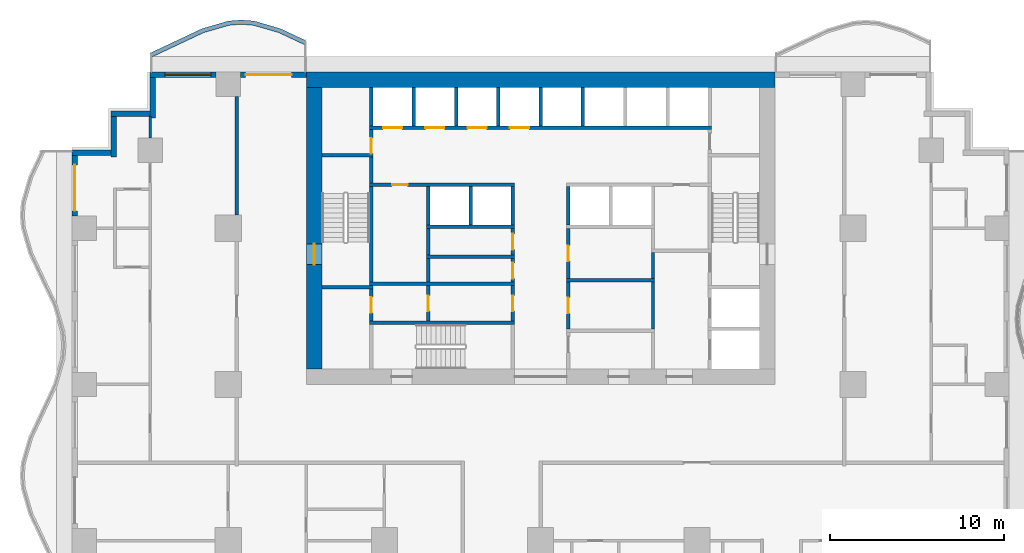
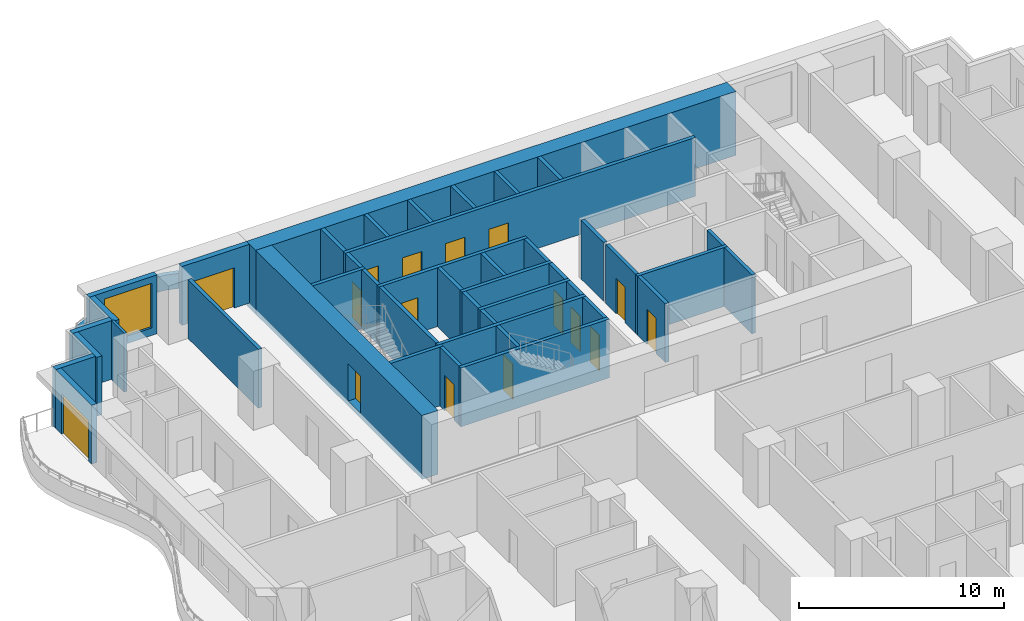
# One storey, part 5 of 14: 45 walls, 16 doors, 1 window, 17 openings.
"""IFC4 building model written with IfcOpenShell, lengths in metres."""

from ifc_helpers import new_model, si_unit, direction, frame, frame_2d, origin, place, context, subcontext, project, spatial, polyline, rectangle, outline, extrude, material, layer, layer_set, type_object, element, fill, save


model = new_model("IFC4")

# Units and contexts
model_context = context("Model", 3, precision=1e-05, world=origin(), true_north=direction((0.0, 1.0)))
body_context = subcontext(model_context, "Body", "Model", "MODEL_VIEW")
ifc_project = project(units=[si_unit("LENGTHUNIT", "METRE"), si_unit("AREAUNIT", "SQUARE_METRE"), si_unit("VOLUMEUNIT", "CUBIC_METRE"), si_unit("PLANEANGLEUNIT", "RADIAN"), si_unit("MASSUNIT", "GRAM", prefix="KILO")], contexts=[model_context])

# Site, building, storey
site_placement = place(None, origin())
site = spatial("IfcSite", under=ifc_project, at=site_placement, CompositionType="ELEMENT")
building_placement = place(site_placement, origin())
building = spatial("IfcBuilding", under=site, at=building_placement, Name="Orbiselva Terraces", CompositionType="ELEMENT")
storey_placement = place(building_placement, frame((0.0, 0.0, 45.4)))
storey = spatial("IfcBuildingStorey", under=building, at=storey_placement, Name="L11", CompositionType="ELEMENT", Elevation=45.4)

# Wall, opening, door
ifc_material_1 = material(Name="Concrete C80/95", Category="concrete")
ifc_layer_1 = layer(ifc_material_1, 0.9)
ifc_layer_set_1 = layer_set([ifc_layer_1], Name="Concrete C80/95")
wall_type_1 = type_object("IfcWallType", Name="CORE WALL 900", PredefinedType="SHEAR", material=ifc_layer_set_1)
wall_1_placement = place(storey_placement, frame((-13.05, 21.6, -0.3), z_axis=(0.0, 0.0, 1.0), x_axis=(0.0, -1.0, 0.0)))
wall_1 = element("IfcWall", 1, at=wall_1_placement, inside=storey, type_object=wall_type_1, Name="Core wall L11 west", PredefinedType="SHEAR", context=body_context, shape_type="SweptSolid", body=[
    extrude(rectangle(XDim=16.2, YDim=0.9, at=frame_2d((8.1, 0.0))), origin(), (0.0, 0.0, 1.0), 3.8),
])
opening_1_placement = place(wall_1_placement, frame((9.0, 0.0, 0.3)))
opening_1 = element("IfcOpeningElement", 2, at=opening_1_placement, cuts=wall_1, Name="Opening DS1200", PredefinedType="OPENING", context=body_context, shape_type="SweptSolid", body=[
    extrude(rectangle(XDim=1.2, YDim=2.2, at=frame_2d((0.6, 1.1))), frame((0.0, 0.46, 0.0), z_axis=(0.0, -1.0, 0.0), x_axis=(1.0, 0.0, 0.0)), (0.0, 0.0, 1.0), 0.92),
])
ifc_material_2 = material(Name="Steel fire door", Category="steel")
door_type_1 = type_object("IfcDoorType", Name="STAIR DOOR 1200", OperationType="NOTDEFINED", PredefinedType="DOOR", material=ifc_material_2)
door_1_placement = place(opening_1_placement, frame((1.2, 0.0, 0.0), z_axis=(0.0, 0.0, 1.0), x_axis=(-1.0, 0.0, 0.0)))
door_1 = element("IfcDoor", 3, at=door_1_placement, inside=storey, type_object=door_type_1, Name="L11 EXIT STAIR S1 door", OperationType="SINGLE_SWING_RIGHT", OverallHeight=2.2, OverallWidth=1.2, PredefinedType="DOOR", context=body_context, shape_type="SweptSolid", body=[
    extrude(rectangle(XDim=1.2, YDim=2.2, at=frame_2d((0.6, 1.1))), frame((0.0, 0.025, 0.0), z_axis=(0.0, -1.0, 0.0), x_axis=(1.0, 0.0, 0.0)), (0.0, 0.0, 1.0), 0.05),
])
fill(opening_1, door_1)

# Wall
ifc_layer_2 = layer(ifc_material_1, 0.9)
ifc_layer_set_2 = layer_set([ifc_layer_2], Name="Concrete C80/95")
wall_type_2 = type_object("IfcWallType", Name="CORE WALL 900 EXTERNAL", PredefinedType="SHEAR", material=ifc_layer_set_2)
wall_2_placement = place(storey_placement, frame((13.5, 22.05, -0.3), z_axis=(0.0, 0.0, 1.0), x_axis=(-1.0, 0.0, 0.0)))
element("IfcWall", 4, at=wall_2_placement, inside=storey, type_object=wall_type_2, Name="Core wall L11 north", PredefinedType="SHEAR", context=body_context, shape_type="SweptSolid", body=[
    extrude(rectangle(XDim=27.0, YDim=0.9, at=frame_2d((13.5, 0.0))), origin(), (0.0, 0.0, 1.0), 3.8),
])

# Wall, opening, door
ifc_material_3 = material(Name="Masonry blockwork", Category="masonry")
ifc_layer_3 = layer(ifc_material_3, 0.2)
ifc_layer_set_3 = layer_set([ifc_layer_3], Name="Masonry blockwork")
wall_type_3 = type_object("IfcWallType", Name="CORE-WALL-PARTITION-200", PredefinedType="PARTITIONING", material=ifc_layer_set_3)
wall_3_placement = place(storey_placement, frame((-9.75, 8.15, 0.0), z_axis=(0.0, 0.0, 1.0), x_axis=(0.0, 1.0, 0.0)))
wall_3 = element("IfcWall", 5, at=wall_3_placement, inside=storey, type_object=wall_type_3, Name="L11 core wall 05", PredefinedType="PARTITIONING", context=body_context, shape_type="SweptSolid", body=[
    extrude(rectangle(XDim=1.85, YDim=0.2, at=frame_2d((0.925, 0.0))), origin(), (0.0, 0.0, 1.0), 3.5),
])
opening_2_placement = place(wall_3_placement, frame((0.475, 0.0, 0.0)))
opening_2 = element("IfcOpeningElement", 6, at=opening_2_placement, cuts=wall_3, Name="Opening DR900", PredefinedType="OPENING", context=body_context, shape_type="SweptSolid", body=[
    extrude(rectangle(XDim=0.9, YDim=2.1, at=frame_2d((0.45, 1.05))), frame((0.0, 0.11, 0.0), z_axis=(0.0, -1.0, 0.0), x_axis=(1.0, 0.0, 0.0)), (0.0, 0.0, 1.0), 0.22),
])
door_type_2 = type_object("IfcDoorType", Name="ROOM DOOR 900", OperationType="NOTDEFINED", PredefinedType="DOOR", material=ifc_material_2)
door_2_placement = place(opening_2_placement, origin())
door_2 = element("IfcDoor", 7, at=door_2_placement, inside=storey, type_object=door_type_2, Name="L11 ACCESSIBLE WC door", OperationType="SINGLE_SWING_RIGHT", OverallHeight=2.1, OverallWidth=0.9, PredefinedType="DOOR", context=body_context, shape_type="SweptSolid", body=[
    extrude(rectangle(XDim=0.9, YDim=2.1, at=frame_2d((0.45, 1.05))), frame((0.0, 0.025, 0.0), z_axis=(0.0, -1.0, 0.0), x_axis=(1.0, 0.0, 0.0)), (0.0, 0.0, 1.0), 0.05),
])
fill(opening_2, door_2)

wall_4_placement = place(storey_placement, frame((-9.75, 17.8, 0.0), z_axis=(0.0, 0.0, 1.0), x_axis=(0.0, 1.0, 0.0)))
wall_4 = element("IfcWall", 8, at=wall_4_placement, inside=storey, type_object=wall_type_3, Name="L11 core wall 10", PredefinedType="PARTITIONING", context=body_context, shape_type="SweptSolid", body=[
    extrude(rectangle(XDim=1.4, YDim=0.2, at=frame_2d((0.7, 0.0))), origin(), (0.0, 0.0, 1.0), 3.5),
])
opening_3_placement = place(wall_4_placement, origin())
opening_3 = element("IfcOpeningElement", 9, at=opening_3_placement, cuts=wall_4, Name="Opening DR900", PredefinedType="OPENING", context=body_context, shape_type="SweptSolid", body=[
    extrude(rectangle(XDim=0.9, YDim=2.1, at=frame_2d((0.45, 1.05))), frame((0.0, 0.11, 0.0), z_axis=(0.0, -1.0, 0.0), x_axis=(1.0, 0.0, 0.0)), (0.0, 0.0, 1.0), 0.22),
])
door_3_placement = place(opening_3_placement, origin())
door_3 = element("IfcDoor", 10, at=door_3_placement, inside=storey, type_object=door_type_2, Name="L11 COMMS RISER ROOM door", OperationType="SINGLE_SWING_LEFT", OverallHeight=2.1, OverallWidth=0.9, PredefinedType="DOOR", context=body_context, shape_type="SweptSolid", body=[
    extrude(rectangle(XDim=0.9, YDim=2.1, at=frame_2d((0.45, 1.05))), frame((0.0, 0.025, 0.0), z_axis=(0.0, -1.0, 0.0), x_axis=(1.0, 0.0, 0.0)), (0.0, 0.0, 1.0), 0.05),
])
fill(opening_3, door_3)

wall_5_placement = place(storey_placement, frame((-6.475, 8.15, 0.0), z_axis=(0.0, 0.0, 1.0), x_axis=(0.0, 1.0, 0.0)))
wall_5 = element("IfcWall", 11, at=wall_5_placement, inside=storey, type_object=wall_type_3, Name="L11 core wall 14", PredefinedType="PARTITIONING", context=body_context, shape_type="SweptSolid", body=[
    extrude(rectangle(XDim=2.05, YDim=0.2, at=frame_2d((1.025, 0.0))), origin(), (0.0, 0.0, 1.0), 3.5),
])
opening_4_placement = place(wall_5_placement, frame((0.575, 0.0, 0.0)))
opening_4 = element("IfcOpeningElement", 12, at=opening_4_placement, cuts=wall_5, Name="Opening DR900", PredefinedType="OPENING", context=body_context, shape_type="SweptSolid", body=[
    extrude(rectangle(XDim=0.9, YDim=2.1, at=frame_2d((0.45, 1.05))), frame((0.0, 0.11, 0.0), z_axis=(0.0, -1.0, 0.0), x_axis=(1.0, 0.0, 0.0)), (0.0, 0.0, 1.0), 0.22),
])
door_4_placement = place(opening_4_placement, origin())
door_4 = element("IfcDoor", 13, at=door_4_placement, inside=storey, type_object=door_type_2, Name="L11 CLEANERS STORE door", OperationType="SINGLE_SWING_RIGHT", OverallHeight=2.1, OverallWidth=0.9, PredefinedType="DOOR", context=body_context, shape_type="SweptSolid", body=[
    extrude(rectangle(XDim=0.9, YDim=2.1, at=frame_2d((0.45, 1.05))), frame((0.0, 0.025, 0.0), z_axis=(0.0, -1.0, 0.0), x_axis=(1.0, 0.0, 0.0)), (0.0, 0.0, 1.0), 0.05),
])
fill(opening_4, door_4)

# Walls
wall_6_placement = place(storey_placement, frame((-6.475, 10.4, 0.0), z_axis=(0.0, 0.0, 1.0), x_axis=(0.0, 1.0, 0.0)))
element("IfcWall", 14, at=wall_6_placement, inside=storey, type_object=wall_type_3, Name="L11 core wall 15", PredefinedType="PARTITIONING", context=body_context, shape_type="SweptSolid", body=[
    extrude(rectangle(XDim=1.35, YDim=0.2, at=frame_2d((0.675, 0.0))), origin(), (0.0, 0.0, 1.0), 3.5),
])
wall_7_placement = place(storey_placement, frame((-6.475, 11.95, 0.0), z_axis=(0.0, 0.0, 1.0), x_axis=(0.0, 1.0, 0.0)))
element("IfcWall", 15, at=wall_7_placement, inside=storey, type_object=wall_type_3, Name="L11 core wall 17", PredefinedType="PARTITIONING", context=body_context, shape_type="SweptSolid", body=[
    extrude(rectangle(XDim=1.55, YDim=0.2, at=frame_2d((0.775, 0.0))), origin(), (0.0, 0.0, 1.0), 3.5),
])

# Wall, opening, door
wall_8_placement = place(storey_placement, frame((-1.6, 8.15, 0.0), z_axis=(0.0, 0.0, 1.0), x_axis=(0.0, 1.0, 0.0)))
wall_8 = element("IfcWall", 16, at=wall_8_placement, inside=storey, type_object=wall_type_3, Name="L11 core wall 24", PredefinedType="PARTITIONING", context=body_context, shape_type="SweptSolid", body=[
    extrude(rectangle(XDim=2.05, YDim=0.2, at=frame_2d((1.025, 0.0))), origin(), (0.0, 0.0, 1.0), 3.5),
])
opening_5_placement = place(wall_8_placement, frame((0.575, 0.0, 0.0)))
opening_5 = element("IfcOpeningElement", 17, at=opening_5_placement, cuts=wall_8, Name="Opening DR900", PredefinedType="OPENING", context=body_context, shape_type="SweptSolid", body=[
    extrude(rectangle(XDim=0.9, YDim=2.1, at=frame_2d((0.45, 1.05))), frame((0.0, 0.11, 0.0), z_axis=(0.0, -1.0, 0.0), x_axis=(1.0, 0.0, 0.0)), (0.0, 0.0, 1.0), 0.22),
])
door_5_placement = place(opening_5_placement, origin())
door_5 = element("IfcDoor", 18, at=door_5_placement, inside=storey, type_object=door_type_2, Name="L11 COMMS ROOM door", OperationType="SINGLE_SWING_RIGHT", OverallHeight=2.1, OverallWidth=0.9, PredefinedType="DOOR", context=body_context, shape_type="SweptSolid", body=[
    extrude(rectangle(XDim=0.9, YDim=2.1, at=frame_2d((0.45, 1.05))), frame((0.0, 0.025, 0.0), z_axis=(0.0, -1.0, 0.0), x_axis=(1.0, 0.0, 0.0)), (0.0, 0.0, 1.0), 0.05),
])
fill(opening_5, door_5)

wall_9_placement = place(storey_placement, frame((-1.6, 10.4, 0.0), z_axis=(0.0, 0.0, 1.0), x_axis=(0.0, 1.0, 0.0)))
wall_9 = element("IfcWall", 19, at=wall_9_placement, inside=storey, type_object=wall_type_3, Name="L11 core wall 25", PredefinedType="PARTITIONING", context=body_context, shape_type="SweptSolid", body=[
    extrude(rectangle(XDim=1.35, YDim=0.2, at=frame_2d((0.675, 0.0))), origin(), (0.0, 0.0, 1.0), 3.5),
])
opening_6_placement = place(wall_9_placement, frame((0.2, 0.0, 0.0)))
opening_6 = element("IfcOpeningElement", 20, at=opening_6_placement, cuts=wall_9, Name="Opening DR900", PredefinedType="OPENING", context=body_context, shape_type="SweptSolid", body=[
    extrude(rectangle(XDim=0.9, YDim=2.1, at=frame_2d((0.45, 1.05))), frame((0.0, 0.11, 0.0), z_axis=(0.0, -1.0, 0.0), x_axis=(1.0, 0.0, 0.0)), (0.0, 0.0, 1.0), 0.22),
])
door_6_placement = place(opening_6_placement, origin())
door_6 = element("IfcDoor", 21, at=door_6_placement, inside=storey, type_object=door_type_2, Name="L11 BUILDING STORE door", OperationType="SINGLE_SWING_LEFT", OverallHeight=2.1, OverallWidth=0.9, PredefinedType="DOOR", context=body_context, shape_type="SweptSolid", body=[
    extrude(rectangle(XDim=0.9, YDim=2.1, at=frame_2d((0.45, 1.05))), frame((0.0, 0.025, 0.0), z_axis=(0.0, -1.0, 0.0), x_axis=(1.0, 0.0, 0.0)), (0.0, 0.0, 1.0), 0.05),
])
fill(opening_6, door_6)

wall_10_placement = place(storey_placement, frame((-1.6, 11.95, 0.0), z_axis=(0.0, 0.0, 1.0), x_axis=(0.0, 1.0, 0.0)))
wall_10 = element("IfcWall", 22, at=wall_10_placement, inside=storey, type_object=wall_type_3, Name="L11 core wall 26", PredefinedType="PARTITIONING", context=body_context, shape_type="SweptSolid", body=[
    extrude(rectangle(XDim=1.55, YDim=0.2, at=frame_2d((0.775, 0.0))), origin(), (0.0, 0.0, 1.0), 3.5),
])
opening_7_placement = place(wall_10_placement, frame((0.325, 0.0, 0.0)))
opening_7 = element("IfcOpeningElement", 23, at=opening_7_placement, cuts=wall_10, Name="Opening DR900", PredefinedType="OPENING", context=body_context, shape_type="SweptSolid", body=[
    extrude(rectangle(XDim=0.9, YDim=2.1, at=frame_2d((0.45, 1.05))), frame((0.0, 0.11, 0.0), z_axis=(0.0, -1.0, 0.0), x_axis=(1.0, 0.0, 0.0)), (0.0, 0.0, 1.0), 0.22),
])
door_7_placement = place(opening_7_placement, origin())
door_7 = element("IfcDoor", 24, at=door_7_placement, inside=storey, type_object=door_type_2, Name="L11 LINEN STORE door", OperationType="SINGLE_SWING_LEFT", OverallHeight=2.1, OverallWidth=0.9, PredefinedType="DOOR", context=body_context, shape_type="SweptSolid", body=[
    extrude(rectangle(XDim=0.9, YDim=2.1, at=frame_2d((0.45, 1.05))), frame((0.0, 0.025, 0.0), z_axis=(0.0, -1.0, 0.0), x_axis=(1.0, 0.0, 0.0)), (0.0, 0.0, 1.0), 0.05),
])
fill(opening_7, door_7)

wall_11_placement = place(storey_placement, frame((1.6, 10.4, 0.0), z_axis=(0.0, 0.0, 1.0), x_axis=(0.0, -1.0, 0.0)))
wall_11 = element("IfcWall", 25, at=wall_11_placement, inside=storey, type_object=wall_type_3, Name="L11 core wall 31", PredefinedType="PARTITIONING", context=body_context, shape_type="SweptSolid", body=[
    extrude(rectangle(XDim=2.7, YDim=0.2, at=frame_2d((1.35, 0.0))), origin(), (0.0, 0.0, 1.0), 3.5),
])
opening_8_placement = place(wall_11_placement, frame((0.9, 0.0, 0.0)))
opening_8 = element("IfcOpeningElement", 26, at=opening_8_placement, cuts=wall_11, Name="Opening DR900", PredefinedType="OPENING", context=body_context, shape_type="SweptSolid", body=[
    extrude(rectangle(XDim=0.9, YDim=2.1, at=frame_2d((0.45, 1.05))), frame((0.0, 0.11, 0.0), z_axis=(0.0, -1.0, 0.0), x_axis=(1.0, 0.0, 0.0)), (0.0, 0.0, 1.0), 0.22),
])
door_8_placement = place(opening_8_placement, origin())
door_8 = element("IfcDoor", 27, at=door_8_placement, inside=storey, type_object=door_type_2, Name="L11 SERVICE PANTRY door", OperationType="SINGLE_SWING_LEFT", OverallHeight=2.1, OverallWidth=0.9, PredefinedType="DOOR", context=body_context, shape_type="SweptSolid", body=[
    extrude(rectangle(XDim=0.9, YDim=2.1, at=frame_2d((0.45, 1.05))), frame((0.0, 0.025, 0.0), z_axis=(0.0, -1.0, 0.0), x_axis=(1.0, 0.0, 0.0)), (0.0, 0.0, 1.0), 0.05),
])
fill(opening_8, door_8)

wall_12_placement = place(storey_placement, frame((1.6, 13.5, 0.0), z_axis=(0.0, 0.0, 1.0), x_axis=(0.0, -1.0, 0.0)))
wall_12 = element("IfcWall", 28, at=wall_12_placement, inside=storey, type_object=wall_type_3, Name="L11 core wall 33", PredefinedType="PARTITIONING", context=body_context, shape_type="SweptSolid", body=[
    extrude(rectangle(XDim=2.9, YDim=0.2, at=frame_2d((1.45, 0.0))), origin(), (0.0, 0.0, 1.0), 3.5),
])
opening_9_placement = place(wall_12_placement, frame((1.0, 0.0, 0.0)))
opening_9 = element("IfcOpeningElement", 29, at=opening_9_placement, cuts=wall_12, Name="Opening DR900", PredefinedType="OPENING", context=body_context, shape_type="SweptSolid", body=[
    extrude(rectangle(XDim=0.9, YDim=2.1, at=frame_2d((0.45, 1.05))), frame((0.0, 0.11, 0.0), z_axis=(0.0, -1.0, 0.0), x_axis=(1.0, 0.0, 0.0)), (0.0, 0.0, 1.0), 0.22),
])
door_9_placement = place(opening_9_placement, origin())
door_9 = element("IfcDoor", 30, at=door_9_placement, inside=storey, type_object=door_type_2, Name="L11 STAFF WC door", OperationType="SINGLE_SWING_LEFT", OverallHeight=2.1, OverallWidth=0.9, PredefinedType="DOOR", context=body_context, shape_type="SweptSolid", body=[
    extrude(rectangle(XDim=0.9, YDim=2.1, at=frame_2d((0.45, 1.05))), frame((0.0, 0.025, 0.0), z_axis=(0.0, -1.0, 0.0), x_axis=(1.0, 0.0, 0.0)), (0.0, 0.0, 1.0), 0.05),
])
fill(opening_9, door_9)

# Walls
ifc_material_4 = material(Name="Concrete C40/50", Category="concrete")
ifc_layer_4 = layer(ifc_material_4, 0.2)
ifc_layer_set_4 = layer_set([ifc_layer_4], Name="Concrete C40/50")
wall_type_4 = type_object("IfcWallType", Name="CORE-WALL-SHAFT-200", PredefinedType="PARTITIONING", material=ifc_layer_set_4)
for number, where, z_axis, x_axis, name in (
    (31, (-9.75, 19.4, 0.0), (0.0, 0.0, 1.0), (0.0, 1.0, 0.0), "L11 core wall 12"),
    (32, (-7.3125, 19.4, 0.0), (0.0, 0.0, 1.0), (0.0, 1.0, 0.0), "L11 core wall 13"),
    (33, (-6.475, 13.7, 0.0), (0.0, 0.0, 1.0), (0.0, 1.0, 0.0), "L11 core wall 19"),
    (34, (-4.875, 19.4, 0.0), (0.0, 0.0, 1.0), (0.0, 1.0, 0.0), "L11 core wall 20"),
    (35, (-4.0375, 13.7, 0.0), (0.0, 0.0, 1.0), (0.0, 1.0, 0.0), "L11 core wall 21"),
    (36, (-2.4375, 19.4, 0.0), (0.0, 0.0, 1.0), (0.0, 1.0, 0.0), "L11 core wall 22"),
    (37, (-1.6, 13.7, 0.0), (0.0, 0.0, 1.0), (0.0, 1.0, 0.0), "L11 core wall 27"),
    (38, (0.0, 19.4, 0.0), (0.0, 0.0, 1.0), (0.0, 1.0, 0.0), "L11 core wall 28"),
    (39, (1.6, 13.7, 0.0), (0.0, 0.0, 1.0), (0.0, 1.0, 0.0), "L11 core wall 35"),
    (40, (2.4375, 19.4, 0.0), (0.0, 0.0, 1.0), (0.0, 1.0, 0.0), "L11 core wall 37"),
):
    element("IfcWall", number, at=place(storey_placement, frame(where, z_axis=z_axis, x_axis=x_axis)), inside=storey, type_object=wall_type_4, Name=name, PredefinedType="PARTITIONING", context=body_context, shape_type="SweptSolid", body=[
        extrude(rectangle(XDim=2.2, YDim=0.2, at=frame_2d((1.1, 0.0))), origin(), (0.0, 0.0, 1.0), 3.5),
    ])
ifc_material_5 = material(Name="Concrete C60/75", Category="concrete")
ifc_layer_5 = layer(ifc_material_5, 0.2)
ifc_layer_set_5 = layer_set([ifc_layer_5], Name="Concrete C60/75")
wall_type_5 = type_object("IfcWallType", Name="CORE-WALL-SHEAR-200", PredefinedType="SHEAR", material=ifc_layer_set_5)
for number, where, z_axis, x_axis, name in (
    (41, (-12.6, 10.1, 0.0), (0.0, 0.0, 1.0), (1.0, 0.0, 0.0), "L11 core wall 01"),
    (42, (-12.6, 17.7, 0.0), (0.0, 0.0, 1.0), (1.0, 0.0, 0.0), "L11 core wall 02"),
):
    element("IfcWall", number, at=place(storey_placement, frame(where, z_axis=z_axis, x_axis=x_axis)), inside=storey, type_object=wall_type_5, Name=name, PredefinedType="SHEAR", context=body_context, shape_type="SweptSolid", body=[
        extrude(rectangle(XDim=2.95, YDim=0.2, at=frame_2d((1.475, 0.0))), origin(), (0.0, 0.0, 1.0), 3.5),
    ])
for number, where, z_axis, x_axis, name in (
    (43, (-9.85, 8.05, 0.0), (0.0, 0.0, 1.0), (1.0, 0.0, 0.0), "L11 core wall 04"),
    (44, (-9.85, 10.3, 0.0), (0.0, 0.0, 1.0), (1.0, 0.0, 0.0), "L11 core wall 06"),
):
    element("IfcWall", number, at=place(storey_placement, frame(where, z_axis=z_axis, x_axis=x_axis)), inside=storey, type_object=wall_type_5, Name=name, PredefinedType="SHEAR", context=body_context, shape_type="SweptSolid", body=[
        extrude(rectangle(XDim=8.35, YDim=0.2, at=frame_2d((4.175, 0.0))), origin(), (0.0, 0.0, 1.0), 3.5),
    ])
wall_13_placement = place(storey_placement, frame((-9.75, 10.4, 0.0), z_axis=(0.0, 0.0, 1.0), x_axis=(0.0, 1.0, 0.0)))
element("IfcWall", 45, at=wall_13_placement, inside=storey, type_object=wall_type_5, Name="L11 core wall 07", PredefinedType="SHEAR", context=body_context, shape_type="SweptSolid", body=[
    extrude(rectangle(XDim=5.5, YDim=0.2, at=frame_2d((2.75, 0.0))), origin(), (0.0, 0.0, 1.0), 3.5),
])

# Wall, opening, door
wall_14_placement = place(storey_placement, frame((-1.5, 16.0, 0.0), z_axis=(0.0, 0.0, 1.0), x_axis=(-1.0, 0.0, 0.0)))
wall_14 = element("IfcWall", 46, at=wall_14_placement, inside=storey, type_object=wall_type_5, Name="L11 core wall 08", PredefinedType="SHEAR", context=body_context, shape_type="SweptSolid", body=[
    extrude(rectangle(XDim=8.35, YDim=0.2, at=frame_2d((4.175, 0.0))), origin(), (0.0, 0.0, 1.0), 3.5),
])
opening_10_placement = place(wall_14_placement, frame((6.1625, 0.0, 0.0)))
opening_10 = element("IfcOpeningElement", 47, at=opening_10_placement, cuts=wall_14, Name="Opening DR900", PredefinedType="OPENING", context=body_context, shape_type="SweptSolid", body=[
    extrude(rectangle(XDim=0.9, YDim=2.1, at=frame_2d((0.45, 1.05))), frame((0.0, 0.11, 0.0), z_axis=(0.0, -1.0, 0.0), x_axis=(1.0, 0.0, 0.0)), (0.0, 0.0, 1.0), 0.22),
])
door_10_placement = place(opening_10_placement, origin())
door_10 = element("IfcDoor", 48, at=door_10_placement, inside=storey, type_object=door_type_2, Name="L11 GUEST PANTRY door", OperationType="SINGLE_SWING_RIGHT", OverallHeight=2.1, OverallWidth=0.9, PredefinedType="DOOR", context=body_context, shape_type="SweptSolid", body=[
    extrude(rectangle(XDim=0.9, YDim=2.1, at=frame_2d((0.45, 1.05))), frame((0.0, 0.025, 0.0), z_axis=(0.0, -1.0, 0.0), x_axis=(1.0, 0.0, 0.0)), (0.0, 0.0, 1.0), 0.05),
])
fill(opening_10, door_10)

# Wall
wall_15_placement = place(storey_placement, frame((-9.75, 16.1, 0.0), z_axis=(0.0, 0.0, 1.0), x_axis=(0.0, 1.0, 0.0)))
element("IfcWall", 49, at=wall_15_placement, inside=storey, type_object=wall_type_5, Name="L11 core wall 09", PredefinedType="SHEAR", context=body_context, shape_type="SweptSolid", body=[
    extrude(rectangle(XDim=1.5, YDim=0.2, at=frame_2d((0.75, 0.0))), origin(), (0.0, 0.0, 1.0), 3.5),
])

# Wall, openings, doors
wall_16_placement = place(storey_placement, frame((-9.85, 19.3, 0.0), z_axis=(0.0, 0.0, 1.0), x_axis=(1.0, 0.0, 0.0)))
wall_16 = element("IfcWall", 50, at=wall_16_placement, inside=storey, type_object=wall_type_5, Name="L11 core wall 11", PredefinedType="SHEAR", context=body_context, shape_type="SweptSolid", body=[
    extrude(rectangle(XDim=19.7, YDim=0.2, at=frame_2d((9.85, 0.0))), origin(), (0.0, 0.0, 1.0), 3.5),
])
opening_11_placement = place(wall_16_placement, frame((0.76875, 0.0, 0.0)))
opening_11 = element("IfcOpeningElement", 51, at=opening_11_placement, cuts=wall_16, Name="Opening LD-LR1", PredefinedType="OPENING", context=body_context, shape_type="SweptSolid", body=[
    extrude(rectangle(XDim=1.1, YDim=2.1, at=frame_2d((0.55, 1.05))), frame((0.0, 0.11, 0.0), z_axis=(0.0, -1.0, 0.0), x_axis=(1.0, 0.0, 0.0)), (0.0, 0.0, 1.0), 0.22),
])
opening_12_placement = place(wall_16_placement, frame((3.20625, 0.0, 0.0)))
opening_12 = element("IfcOpeningElement", 52, at=opening_12_placement, cuts=wall_16, Name="Opening LD-LR2", PredefinedType="OPENING", context=body_context, shape_type="SweptSolid", body=[
    extrude(rectangle(XDim=1.1, YDim=2.1, at=frame_2d((0.55, 1.05))), frame((0.0, 0.11, 0.0), z_axis=(0.0, -1.0, 0.0), x_axis=(1.0, 0.0, 0.0)), (0.0, 0.0, 1.0), 0.22),
])
opening_13_placement = place(wall_16_placement, frame((5.64375, 0.0, 0.0)))
opening_13 = element("IfcOpeningElement", 53, at=opening_13_placement, cuts=wall_16, Name="Opening LD-LR3", PredefinedType="OPENING", context=body_context, shape_type="SweptSolid", body=[
    extrude(rectangle(XDim=1.1, YDim=2.1, at=frame_2d((0.55, 1.05))), frame((0.0, 0.11, 0.0), z_axis=(0.0, -1.0, 0.0), x_axis=(1.0, 0.0, 0.0)), (0.0, 0.0, 1.0), 0.22),
])
opening_14_placement = place(wall_16_placement, frame((8.08125, 0.0, 0.0)))
opening_14 = element("IfcOpeningElement", 54, at=opening_14_placement, cuts=wall_16, Name="Opening LD-LR4", PredefinedType="OPENING", context=body_context, shape_type="SweptSolid", body=[
    extrude(rectangle(XDim=1.1, YDim=2.1, at=frame_2d((0.55, 1.05))), frame((0.0, 0.11, 0.0), z_axis=(0.0, -1.0, 0.0), x_axis=(1.0, 0.0, 0.0)), (0.0, 0.0, 1.0), 0.22),
])
ifc_material_6 = material(Name="Stainless steel landing door", Category="steel")
door_type_3 = type_object("IfcDoorType", Name="LANDING DOOR 1100", OperationType="SLIDING_TO_LEFT", PredefinedType="DOOR", material=ifc_material_6)
door_11_placement = place(opening_11_placement, origin())
door_11 = element("IfcDoor", 55, at=door_11_placement, inside=storey, type_object=door_type_3, Name="L11 landing door LR1", OperationType="SLIDING_TO_LEFT", OverallHeight=2.1, OverallWidth=1.1, PredefinedType="DOOR", context=body_context, shape_type="SweptSolid", body=[
    extrude(rectangle(XDim=1.1, YDim=2.1, at=frame_2d((0.55, 1.05))), frame((0.0, 0.025, 0.0), z_axis=(0.0, -1.0, 0.0), x_axis=(1.0, 0.0, 0.0)), (0.0, 0.0, 1.0), 0.05),
])
fill(opening_11, door_11)
door_12_placement = place(opening_12_placement, origin())
door_12 = element("IfcDoor", 56, at=door_12_placement, inside=storey, type_object=door_type_3, Name="L11 landing door LR2", OperationType="SLIDING_TO_LEFT", OverallHeight=2.1, OverallWidth=1.1, PredefinedType="DOOR", context=body_context, shape_type="SweptSolid", body=[
    extrude(rectangle(XDim=1.1, YDim=2.1, at=frame_2d((0.55, 1.05))), frame((0.0, 0.025, 0.0), z_axis=(0.0, -1.0, 0.0), x_axis=(1.0, 0.0, 0.0)), (0.0, 0.0, 1.0), 0.05),
])
fill(opening_12, door_12)
door_13_placement = place(opening_13_placement, origin())
door_13 = element("IfcDoor", 57, at=door_13_placement, inside=storey, type_object=door_type_3, Name="L11 landing door LR3", OperationType="SLIDING_TO_LEFT", OverallHeight=2.1, OverallWidth=1.1, PredefinedType="DOOR", context=body_context, shape_type="SweptSolid", body=[
    extrude(rectangle(XDim=1.1, YDim=2.1, at=frame_2d((0.55, 1.05))), frame((0.0, 0.025, 0.0), z_axis=(0.0, -1.0, 0.0), x_axis=(1.0, 0.0, 0.0)), (0.0, 0.0, 1.0), 0.05),
])
fill(opening_13, door_13)
door_14_placement = place(opening_14_placement, origin())
door_14 = element("IfcDoor", 58, at=door_14_placement, inside=storey, type_object=door_type_3, Name="L11 landing door LR4", OperationType="SLIDING_TO_LEFT", OverallHeight=2.1, OverallWidth=1.1, PredefinedType="DOOR", context=body_context, shape_type="SweptSolid", body=[
    extrude(rectangle(XDim=1.1, YDim=2.1, at=frame_2d((0.55, 1.05))), frame((0.0, 0.025, 0.0), z_axis=(0.0, -1.0, 0.0), x_axis=(1.0, 0.0, 0.0)), (0.0, 0.0, 1.0), 0.05),
])
fill(opening_14, door_14)

# Walls
for number, where, z_axis, x_axis, name in (
    (59, (-6.575, 11.85, 0.0), (0.0, 0.0, 1.0), (1.0, 0.0, 0.0), "L11 core wall 16"),
    (60, (-6.575, 13.6, 0.0), (0.0, 0.0, 1.0), (1.0, 0.0, 0.0), "L11 core wall 18"),
    (61, (1.5, 10.5, 0.0), (0.0, 0.0, 1.0), (1.0, 0.0, 0.0), "L11 core wall 32"),
):
    element("IfcWall", number, at=place(storey_placement, frame(where, z_axis=z_axis, x_axis=x_axis)), inside=storey, type_object=wall_type_5, Name=name, PredefinedType="SHEAR", context=body_context, shape_type="SweptSolid", body=[
        extrude(rectangle(XDim=5.075, YDim=0.2, at=frame_2d((2.5375, 0.0))), origin(), (0.0, 0.0, 1.0), 3.5),
    ])
wall_17_placement = place(storey_placement, frame((6.475, 7.7, 0.0), z_axis=(0.0, 0.0, 1.0), x_axis=(0.0, 1.0, 0.0)))
element("IfcWall", 62, at=wall_17_placement, inside=storey, type_object=wall_type_5, Name="L11 core wall 41", PredefinedType="SHEAR", context=body_context, shape_type="SweptSolid", body=[
    extrude(rectangle(XDim=2.7, YDim=0.2, at=frame_2d((1.35, 0.0))), origin(), (0.0, 0.0, 1.0), 3.5),
])
wall_18_placement = place(storey_placement, frame((6.475, 10.6, 0.0), z_axis=(0.0, 0.0, 1.0), x_axis=(0.0, 1.0, 0.0)))
element("IfcWall", 63, at=wall_18_placement, inside=storey, type_object=wall_type_5, Name="L11 core wall 42", PredefinedType="SHEAR", context=body_context, shape_type="SweptSolid", body=[
    extrude(rectangle(XDim=1.5, YDim=0.2, at=frame_2d((0.75, 0.0))), origin(), (0.0, 0.0, 1.0), 3.5),
])
ifc_layer_6 = layer(ifc_material_4, 0.25)
ifc_layer_set_6 = layer_set([ifc_layer_6], Name="Concrete C40/50")
wall_type_6 = type_object("IfcWallType", Name="ENV-PLANTER-250x900", PredefinedType="USERDEFINED", material=ifc_layer_set_6)
wall_19_placement = place(storey_placement, origin())
element("IfcWall", 64, at=wall_19_placement, inside=storey, type_object=wall_type_6, Name="Balcony planter L11 NW", ObjectType="PLANTER", PredefinedType="USERDEFINED", context=body_context, shape_type="SweptSolid", body=[
    extrude(outline(polyline([(-13.5, 24.3), (-15.0, 25.005342), (-16.5, 25.441268), (-17.25, 25.5), (-18.0, 25.441268), (-19.5, 25.005342), (-21.0, 24.3), (-22.5, 23.594658), (-22.393617, 23.368422), (-20.893617, 24.073764), (-19.411382, 24.770753), (-17.954886, 25.194035), (-17.25, 25.249235), (-16.545114, 25.194035), (-15.088618, 24.770753), (-13.606383, 24.073764), (-13.5, 24.3)])), origin(), (0.0, 0.0, 1.0), 0.9),
])

# Wall, opening, door
ifc_material_7 = material(Name="Terracotta cladding on masonry backing", Category="masonry")
ifc_layer_7 = layer(ifc_material_7, 0.3)
ifc_layer_set_7 = layer_set([ifc_layer_7], Name="Terracotta cladding on masonry backing")
wall_type_7 = type_object("IfcWallType", Name="ENV-WALL-TERRACOTTA-300", PredefinedType="SOLIDWALL", material=ifc_layer_set_7)
wall_20_placement = place(storey_placement, frame((-17.3, 22.35, 0.0), z_axis=(0.0, 0.0, 1.0), x_axis=(1.0, 0.0, 0.0)))
wall_20 = element("IfcWall", 65, at=wall_20_placement, inside=storey, type_object=wall_type_7, Name="Facade wall L11 NW", PredefinedType="SOLIDWALL", context=body_context, shape_type="SweptSolid", body=[
    extrude(rectangle(XDim=3.8, YDim=0.3, at=frame_2d((1.9, 0.0))), origin(), (0.0, 0.0, 1.0), 3.5),
])
opening_15_placement = place(wall_20_placement, frame((0.3, 0.0, 0.0)))
opening_15 = element("IfcOpeningElement", 66, at=opening_15_placement, cuts=wall_20, Name="Opening Z1-C-E28", PredefinedType="OPENING", context=body_context, shape_type="SweptSolid", body=[
    extrude(rectangle(XDim=2.65, YDim=2.4, at=frame_2d((1.325, 1.2))), frame((0.0, 0.16, 0.0), z_axis=(0.0, -1.0, 0.0), x_axis=(1.0, 0.0, 0.0)), (0.0, 0.0, 1.0), 0.32),
])
ifc_material_8 = material(Name="Clear low-e glazing in aluminium frame", Category="aluminium")
door_type_4 = type_object("IfcDoorType", Name="BALCONY DOOR 2650 X 2400", OperationType="DOUBLE_DOOR_SLIDING", PredefinedType="DOOR", material=ifc_material_8)
door_15_placement = place(opening_15_placement, origin())
door_15 = element("IfcDoor", 67, at=door_15_placement, inside=storey, type_object=door_type_4, Name="Z1-C-E28", OperationType="SINGLE_SWING_LEFT", OverallHeight=2.4, OverallWidth=2.65, PredefinedType="DOOR", context=body_context, shape_type="SweptSolid", body=[
    extrude(rectangle(XDim=2.65, YDim=2.4, at=frame_2d((1.325, 1.2))), frame((0.0, 0.025, 0.0), z_axis=(0.0, -1.0, 0.0), x_axis=(1.0, 0.0, 0.0)), (0.0, 0.0, 1.0), 0.05),
])
fill(opening_15, door_15)

# Wall, opening, window
wall_21_placement = place(storey_placement, frame((-22.5, 22.35, 0.0), z_axis=(0.0, 0.0, 1.0), x_axis=(1.0, 0.0, 0.0)))
wall_21 = element("IfcWall", 68, at=wall_21_placement, inside=storey, type_object=wall_type_7, Name="Facade wall L11 NW", PredefinedType="SOLIDWALL", context=body_context, shape_type="SweptSolid", body=[
    extrude(rectangle(XDim=3.8, YDim=0.3, at=frame_2d((1.9, 0.0))), origin(), (0.0, 0.0, 1.0), 3.5),
])
opening_16_placement = place(wall_21_placement, frame((0.85, 0.0, 0.45)))
opening_16 = element("IfcOpeningElement", 69, at=opening_16_placement, cuts=wall_21, Name="Opening WN3", PredefinedType="OPENING", context=body_context, shape_type="SweptSolid", body=[
    extrude(rectangle(XDim=2.65, YDim=2.65, at=frame_2d((1.325, 1.325))), frame((0.0, 0.16, 0.0), z_axis=(0.0, -1.0, 0.0), x_axis=(1.0, 0.0, 0.0)), (0.0, 0.0, 1.0), 0.32),
])
window_type = type_object("IfcWindowType", Name="WINDOW 2650 X 2650 S450", PartitioningType="TRIPLE_PANEL_VERTICAL", PredefinedType="WINDOW", material=ifc_material_8)
window_placement = place(opening_16_placement, origin())
window = element("IfcWindow", 70, at=window_placement, inside=storey, type_object=window_type, Name="Window L11 NW", OverallHeight=2.65, OverallWidth=2.65, PartitioningType="SINGLE_PANEL", PredefinedType="WINDOW", context=body_context, shape_type="SweptSolid", body=[
    extrude(rectangle(XDim=2.65, YDim=2.65, at=frame_2d((1.325, 1.325))), frame((0.0, 0.03, 0.0), z_axis=(0.0, -1.0, 0.0), x_axis=(1.0, 0.0, 0.0)), (0.0, 0.0, 1.0), 0.06),
])
fill(opening_16, window)

# Walls
wall_22_placement = place(storey_placement, frame((-22.35, 19.85, 0.0), z_axis=(0.0, 0.0, 1.0), x_axis=(0.0, 1.0, 0.0)))
element("IfcWall", 71, at=wall_22_placement, inside=storey, type_object=wall_type_7, Name="Facade wall L11 STEP", PredefinedType="SOLIDWALL", context=body_context, shape_type="SweptSolid", body=[
    extrude(rectangle(XDim=2.35, YDim=0.3, at=frame_2d((1.175, 0.0))), origin(), (0.0, 0.0, 1.0), 3.5),
])
wall_23_placement = place(storey_placement, frame((-24.75, 20.1, 0.0), z_axis=(0.0, 0.0, 1.0), x_axis=(1.0, 0.0, 0.0)))
element("IfcWall", 72, at=wall_23_placement, inside=storey, type_object=wall_type_7, Name="Facade wall L11 STEP", PredefinedType="SOLIDWALL", context=body_context, shape_type="SweptSolid", body=[
    extrude(rectangle(XDim=2.25, YDim=0.3, at=frame_2d((1.125, 0.0))), origin(), (0.0, 0.0, 1.0), 3.5),
])
wall_24_placement = place(storey_placement, frame((-24.6, 17.6, 0.0), z_axis=(0.0, 0.0, 1.0), x_axis=(0.0, 1.0, 0.0)))
element("IfcWall", 73, at=wall_24_placement, inside=storey, type_object=wall_type_7, Name="Facade wall L11 STEP", PredefinedType="SOLIDWALL", context=body_context, shape_type="SweptSolid", body=[
    extrude(rectangle(XDim=2.35, YDim=0.3, at=frame_2d((1.175, 0.0))), origin(), (0.0, 0.0, 1.0), 3.5),
])
wall_25_placement = place(storey_placement, frame((-27.0, 17.85, 0.0), z_axis=(0.0, 0.0, 1.0), x_axis=(1.0, 0.0, 0.0)))
element("IfcWall", 74, at=wall_25_placement, inside=storey, type_object=wall_type_7, Name="Facade wall L11 STEP", PredefinedType="SOLIDWALL", context=body_context, shape_type="SweptSolid", body=[
    extrude(rectangle(XDim=2.25, YDim=0.3, at=frame_2d((1.125, 0.0))), origin(), (0.0, 0.0, 1.0), 3.5),
])

# Wall, opening, door
wall_26_placement = place(storey_placement, frame((-26.85, 14.2, 0.0), z_axis=(0.0, 0.0, 1.0), x_axis=(0.0, 1.0, 0.0)))
wall_26 = element("IfcWall", 75, at=wall_26_placement, inside=storey, type_object=wall_type_7, Name="Facade wall L11 W", PredefinedType="SOLIDWALL", context=body_context, shape_type="SweptSolid", body=[
    extrude(rectangle(XDim=3.5, YDim=0.3, at=frame_2d((1.75, 0.0))), origin(), (0.0, 0.0, 1.0), 3.5),
])
opening_17_placement = place(wall_26_placement, frame((0.3, 0.0, 0.0)))
opening_17 = element("IfcOpeningElement", 76, at=opening_17_placement, cuts=wall_26, Name="Opening Z1-C-E29", PredefinedType="OPENING", context=body_context, shape_type="SweptSolid", body=[
    extrude(rectangle(XDim=2.65, YDim=2.4, at=frame_2d((1.325, 1.2))), frame((0.0, 0.16, 0.0), z_axis=(0.0, -1.0, 0.0), x_axis=(1.0, 0.0, 0.0)), (0.0, 0.0, 1.0), 0.32),
])
door_16_placement = place(opening_17_placement, origin())
door_16 = element("IfcDoor", 77, at=door_16_placement, inside=storey, type_object=door_type_4, Name="Z1-C-E29", OperationType="SINGLE_SWING_LEFT", OverallHeight=2.4, OverallWidth=2.65, PredefinedType="DOOR", context=body_context, shape_type="SweptSolid", body=[
    extrude(rectangle(XDim=2.65, YDim=2.4, at=frame_2d((1.325, 1.2))), frame((0.0, 0.025, 0.0), z_axis=(0.0, -1.0, 0.0), x_axis=(1.0, 0.0, 0.0)), (0.0, 0.0, 1.0), 0.05),
])
fill(opening_17, door_16)

# Walls
ifc_material_9 = material(Name="Plasterboard on steel stud partition", Category="steel")
ifc_layer_8 = layer(ifc_material_9, 0.2)
ifc_layer_set_8 = layer_set([ifc_layer_8], Name="Plasterboard on steel stud partition")
wall_type_8 = type_object("IfcWallType", Name="UNIT-ENTRANCE-WALL-200", PredefinedType="PARTITIONING", material=ifc_layer_set_8)
wall_27_placement = place(storey_placement, frame((-17.5, 14.25, 0.0), z_axis=(0.0, 0.0, 1.0), x_axis=(0.0, 1.0, 0.0)))
element("IfcWall", 78, at=wall_27_placement, inside=storey, type_object=wall_type_8, Name="PARTITION L11-050", PredefinedType="PARTITIONING", context=body_context, shape_type="SweptSolid", body=[
    extrude(rectangle(XDim=6.85, YDim=0.2, at=frame_2d((3.425, 0.0))), origin(), (0.0, 0.0, 1.0), 3.5),
])
ifc_layer_9 = layer(ifc_material_9, 0.15)
ifc_layer_set_9 = layer_set([ifc_layer_9], Name="Plasterboard on steel stud partition")
wall_type_9 = type_object("IfcWallType", Name="UNIT-PARTITION-150", PredefinedType="PARTITIONING", material=ifc_layer_set_9)
wall_28_placement = place(storey_placement, frame((-22.5, 18.7, 0.0), z_axis=(0.0, 0.0, 1.0), x_axis=(0.0, 1.0, 0.0)))
element("IfcWall", 79, at=wall_28_placement, inside=storey, type_object=wall_type_9, Name="PARTITION L11-042", PredefinedType="PARTITIONING", context=body_context, shape_type="SweptSolid", body=[
    extrude(rectangle(XDim=1.25, YDim=0.15, at=frame_2d((0.625, 0.0))), origin(), (0.0, 0.0, 1.0), 3.5),
])

save(model, "model.ifc")
